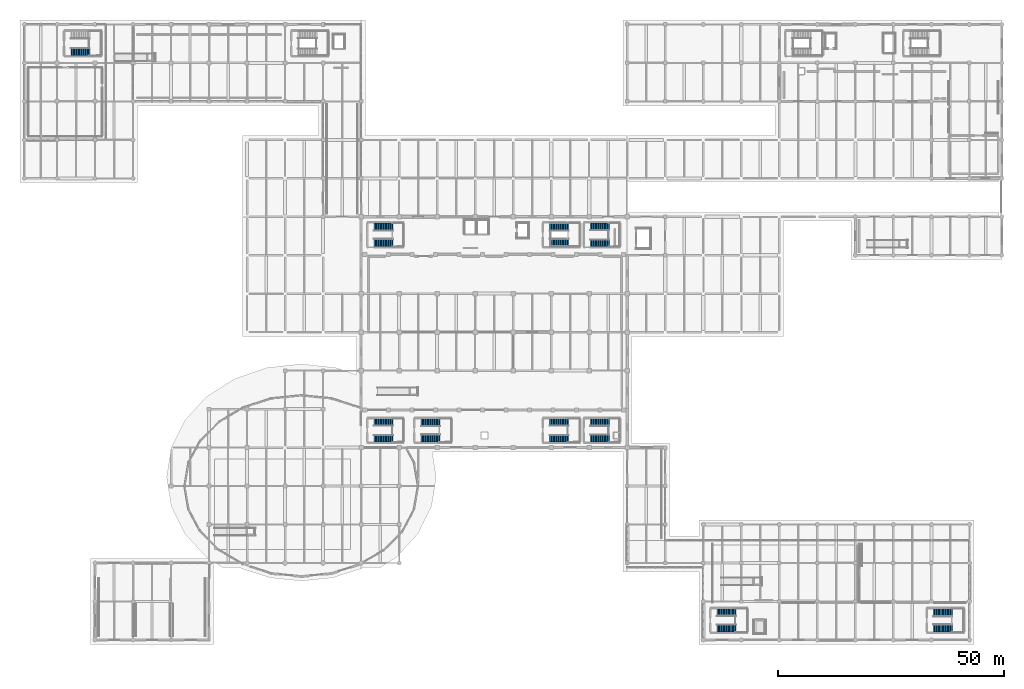
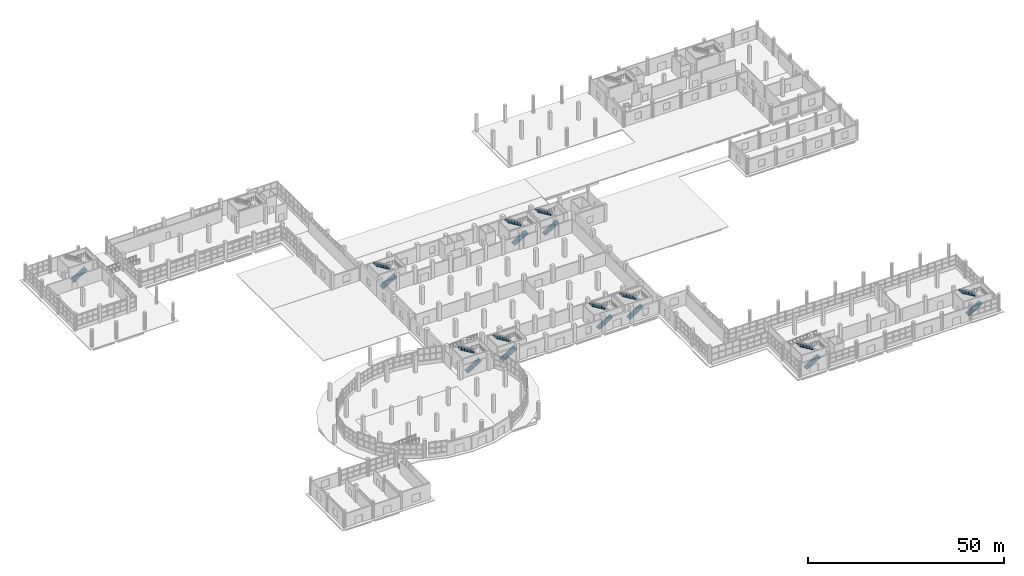
# One storey, part 98 of 107: 19 stair flights, 10 elements without a shape of their own.
"""IFC4 building model written with IfcOpenShell, lengths in metres."""

from ifc_helpers import new_model, si_unit, direction, frame, origin, place, context, subcontext, project, spatial, polyline, outline, extrude, material, type_object, element, aggregate, save


model = new_model("IFC4")

# Units and contexts
model_context = context("Model", 3, precision=1e-05, world=origin(), true_north=direction((0.0, 1.0)))
body_context = subcontext(model_context, "Body", "Model", "MODEL_VIEW")
ifc_project = project(units=[si_unit("LENGTHUNIT", "METRE"), si_unit("AREAUNIT", "SQUARE_METRE"), si_unit("VOLUMEUNIT", "CUBIC_METRE"), si_unit("PLANEANGLEUNIT", "RADIAN"), si_unit("MASSUNIT", "GRAM", prefix="KILO")], contexts=[model_context])

# Site, building, storey
site_placement = place(None, origin())
site = spatial("IfcSite", under=ifc_project, at=site_placement, CompositionType="ELEMENT")
building_placement = place(site_placement, origin())
building = spatial("IfcBuilding", under=site, at=building_placement, Name="Solvento Point Concert Hall", CompositionType="ELEMENT")
storey_placement = place(building_placement, origin())
storey = spatial("IfcBuildingStorey", under=building, at=storey_placement, Name="L00", CompositionType="ELEMENT", Elevation=0.0)

# Stair, stair flights
ifc_material_1 = material(Name="Concrete C35/45", Category="concrete")
stair_type_1 = type_object("IfcStairType", Name="CoreStair_1600", PredefinedType="HALF_TURN_STAIR", material=ifc_material_1)
stair_1_placement = place(storey_placement, origin())
stair_1 = element("IfcStair", 1, at=stair_1_placement, inside=storey, type_object=stair_type_1, Name="Protected exit stair ST-07 (L00 to L01)", PredefinedType="HALF_TURN_STAIR")
ifc_material_2 = material(Name="Concrete C35/45", Category="concrete")
stair_flight_type_1 = type_object("IfcStairFlightType", Name="StairFlight_1600", PredefinedType="STRAIGHT", material=ifc_material_2)
stair_flight_1_placement = place(storey_placement, frame((116.050048828125, 44.5, 0.0), z_axis=(0.0, 0.0, 1.0), x_axis=(1.0, 0.0, 0.0)))
stair_flight_1 = element("IfcStairFlight", 2, at=stair_flight_1_placement, type_object=stair_flight_type_1, Name="Stair flight ST-07 L00 lower", NumberOfRisers=16, NumberOfTreads=15, PredefinedType="STRAIGHT", RiserHeight=0.16875, TreadLength=0.28, context=body_context, shape_type="SweptSolid", body=[
    extrude(outline(polyline([(0.0, 0.0), (0.0, 0.168701171875), (0.280029296875, 0.168701171875), (0.280029296875, 0.33740234375), (0.56005859375, 0.33740234375), (0.56005859375, 0.50634765625), (0.840087890625, 0.50634765625), (0.840087890625, 0.675048828125), (1.1201171875, 0.675048828125), (1.1201171875, 0.84375), (1.39990234375, 0.84375), (1.39990234375, 1.012451171875), (1.679931640625, 1.012451171875), (1.679931640625, 1.18115234375), (1.9599609375, 1.18115234375), (1.9599609375, 1.35009765625), (2.239990234375, 1.35009765625), (2.239990234375, 1.518798828125), (2.52001953125, 1.518798828125), (2.52001953125, 1.6875), (2.800048828125, 1.6875), (2.800048828125, 1.856201171875), (3.080078125, 1.856201171875), (3.080078125, 2.02490234375), (3.360107421875, 2.02490234375), (3.360107421875, 2.19384765625), (3.639892578125, 2.19384765625), (3.639892578125, 2.362548828125), (3.919921875, 2.362548828125), (3.919921875, 2.53125), (4.199951171875, 2.53125), (4.199951171875, 2.699951171875), (4.199951171875, 2.3212890625), (0.3486328125, 0.0), (0.0, 0.0)])), frame((0.0, 0.800048828125, 0.0), z_axis=(0.0, -1.0, 0.0), x_axis=(1.0, 0.0, 0.0)), (0.0, 0.0, 1.0), 1.60009765625),
])
stair_flight_2_placement = place(storey_placement, frame((120.25, 48.10009765625, 2.699951171875), z_axis=(0.0, 0.0, 1.0), x_axis=(-1.0, 0.0, 0.0)))
stair_flight_2 = element("IfcStairFlight", 3, at=stair_flight_2_placement, type_object=stair_flight_type_1, Name="Stair flight ST-07 L00 upper", NumberOfRisers=16, NumberOfTreads=15, PredefinedType="STRAIGHT", RiserHeight=0.16875, TreadLength=0.28, context=body_context, shape_type="SweptSolid", body=[
    extrude(outline(polyline([(0.0, 0.0), (0.0, 0.168701171875), (0.280029296875, 0.168701171875), (0.280029296875, 0.33740234375), (0.56005859375, 0.33740234375), (0.56005859375, 0.50634765625), (0.840087890625, 0.50634765625), (0.840087890625, 0.675048828125), (1.1201171875, 0.675048828125), (1.1201171875, 0.84375), (1.39990234375, 0.84375), (1.39990234375, 1.012451171875), (1.679931640625, 1.012451171875), (1.679931640625, 1.18115234375), (1.9599609375, 1.18115234375), (1.9599609375, 1.35009765625), (2.239990234375, 1.35009765625), (2.239990234375, 1.518798828125), (2.52001953125, 1.518798828125), (2.52001953125, 1.6875), (2.800048828125, 1.6875), (2.800048828125, 1.856201171875), (3.080078125, 1.856201171875), (3.080078125, 2.02490234375), (3.360107421875, 2.02490234375), (3.360107421875, 2.19384765625), (3.639892578125, 2.19384765625), (3.639892578125, 2.362548828125), (3.919921875, 2.362548828125), (3.919921875, 2.53125), (4.199951171875, 2.53125), (4.199951171875, 2.699951171875), (4.199951171875, 2.3212890625), (0.3486328125, 0.0), (0.0, 0.0)])), frame((0.0, 0.800048828125, 0.0), z_axis=(0.0, -1.0, 0.0), x_axis=(1.0, 0.0, 0.0)), (0.0, 0.0, 1.0), 1.60009765625),
])
aggregate(stair_1, [stair_flight_1, stair_flight_2])

stair_2_placement = place(storey_placement, origin())
stair_2 = element("IfcStair", 4, at=stair_2_placement, inside=storey, type_object=stair_type_1, Name="Auditorium vomitory exit stair VOM-01 (L00 to L01)", PredefinedType="HALF_TURN_STAIR")
stair_flight_3_placement = place(storey_placement, frame((77.25, 44.5, 0.0), z_axis=(0.0, 0.0, 1.0), x_axis=(1.0, 0.0, 0.0)))
stair_flight_3 = element("IfcStairFlight", 5, at=stair_flight_3_placement, type_object=stair_flight_type_1, Name="Stair flight VOM-01 L00 lower", NumberOfRisers=16, NumberOfTreads=15, PredefinedType="STRAIGHT", RiserHeight=0.16875, TreadLength=0.28, context=body_context, shape_type="SweptSolid", body=[
    extrude(outline(polyline([(0.0, 0.0), (0.0, 0.168701171875), (0.280029296875, 0.168701171875), (0.280029296875, 0.33740234375), (0.56005859375, 0.33740234375), (0.56005859375, 0.50634765625), (0.840087890625, 0.50634765625), (0.840087890625, 0.675048828125), (1.1201171875, 0.675048828125), (1.1201171875, 0.84375), (1.39990234375, 0.84375), (1.39990234375, 1.012451171875), (1.679931640625, 1.012451171875), (1.679931640625, 1.18115234375), (1.9599609375, 1.18115234375), (1.9599609375, 1.35009765625), (2.239990234375, 1.35009765625), (2.239990234375, 1.518798828125), (2.52001953125, 1.518798828125), (2.52001953125, 1.6875), (2.800048828125, 1.6875), (2.800048828125, 1.856201171875), (3.080078125, 1.856201171875), (3.080078125, 2.02490234375), (3.360107421875, 2.02490234375), (3.360107421875, 2.19384765625), (3.639892578125, 2.19384765625), (3.639892578125, 2.362548828125), (3.919921875, 2.362548828125), (3.919921875, 2.53125), (4.199951171875, 2.53125), (4.199951171875, 2.699951171875), (4.199951171875, 2.3212890625), (0.3486328125, 0.0), (0.0, 0.0)])), frame((0.0, 0.800048828125, 0.0), z_axis=(0.0, -1.0, 0.0), x_axis=(1.0, 0.0, 0.0)), (0.0, 0.0, 1.0), 1.60009765625),
])
stair_flight_4_placement = place(storey_placement, frame((81.449951171875, 48.10009765625, 2.699951171875), z_axis=(0.0, 0.0, 1.0), x_axis=(-1.0, 0.0, 0.0)))
stair_flight_4 = element("IfcStairFlight", 6, at=stair_flight_4_placement, type_object=stair_flight_type_1, Name="Stair flight VOM-01 L00 upper", NumberOfRisers=16, NumberOfTreads=15, PredefinedType="STRAIGHT", RiserHeight=0.16875, TreadLength=0.28, context=body_context, shape_type="SweptSolid", body=[
    extrude(outline(polyline([(0.0, 0.0), (0.0, 0.168701171875), (0.280029296875, 0.168701171875), (0.280029296875, 0.33740234375), (0.56005859375, 0.33740234375), (0.56005859375, 0.50634765625), (0.840087890625, 0.50634765625), (0.840087890625, 0.675048828125), (1.1201171875, 0.675048828125), (1.1201171875, 0.84375), (1.39990234375, 0.84375), (1.39990234375, 1.012451171875), (1.679931640625, 1.012451171875), (1.679931640625, 1.18115234375), (1.9599609375, 1.18115234375), (1.9599609375, 1.35009765625), (2.239990234375, 1.35009765625), (2.239990234375, 1.518798828125), (2.52001953125, 1.518798828125), (2.52001953125, 1.6875), (2.800048828125, 1.6875), (2.800048828125, 1.856201171875), (3.080078125, 1.856201171875), (3.080078125, 2.02490234375), (3.360107421875, 2.02490234375), (3.360107421875, 2.19384765625), (3.639892578125, 2.19384765625), (3.639892578125, 2.362548828125), (3.919921875, 2.362548828125), (3.919921875, 2.53125), (4.199951171875, 2.53125), (4.199951171875, 2.699951171875), (4.199951171875, 2.3212890625), (0.3486328125, 0.0), (0.0, 0.0)])), frame((0.0, 0.800048828125, 0.0), z_axis=(0.0, -1.0, 0.0), x_axis=(1.0, 0.0, 0.0)), (0.0, 0.0, 1.0), 1.60009765625),
])
aggregate(stair_2, [stair_flight_3, stair_flight_4])

stair_3_placement = place(storey_placement, origin())
stair_3 = element("IfcStair", 7, at=stair_3_placement, inside=storey, type_object=stair_type_1, Name="Auditorium vomitory exit stair VOM-04 (L00 to L01)", PredefinedType="HALF_TURN_STAIR")
stair_flight_5_placement = place(storey_placement, frame((125.050048828125, 87.699951171875, 0.0), z_axis=(0.0, 0.0, 1.0), x_axis=(1.0, 0.0, 0.0)))
stair_flight_5 = element("IfcStairFlight", 8, at=stair_flight_5_placement, type_object=stair_flight_type_1, Name="Stair flight VOM-04 L00 lower", NumberOfRisers=16, NumberOfTreads=15, PredefinedType="STRAIGHT", RiserHeight=0.16875, TreadLength=0.28, context=body_context, shape_type="SweptSolid", body=[
    extrude(outline(polyline([(0.0, 0.0), (0.0, 0.168701171875), (0.280029296875, 0.168701171875), (0.280029296875, 0.33740234375), (0.56005859375, 0.33740234375), (0.56005859375, 0.50634765625), (0.840087890625, 0.50634765625), (0.840087890625, 0.675048828125), (1.1201171875, 0.675048828125), (1.1201171875, 0.84375), (1.39990234375, 0.84375), (1.39990234375, 1.012451171875), (1.679931640625, 1.012451171875), (1.679931640625, 1.18115234375), (1.9599609375, 1.18115234375), (1.9599609375, 1.35009765625), (2.239990234375, 1.35009765625), (2.239990234375, 1.518798828125), (2.52001953125, 1.518798828125), (2.52001953125, 1.6875), (2.800048828125, 1.6875), (2.800048828125, 1.856201171875), (3.080078125, 1.856201171875), (3.080078125, 2.02490234375), (3.360107421875, 2.02490234375), (3.360107421875, 2.19384765625), (3.639892578125, 2.19384765625), (3.639892578125, 2.362548828125), (3.919921875, 2.362548828125), (3.919921875, 2.53125), (4.199951171875, 2.53125), (4.199951171875, 2.699951171875), (4.199951171875, 2.3212890625), (0.3486328125, 0.0), (0.0, 0.0)])), frame((0.0, 0.800048828125, 0.0), z_axis=(0.0, -1.0, 0.0), x_axis=(1.0, 0.0, 0.0)), (0.0, 0.0, 1.0), 1.60009765625),
])
stair_flight_6_placement = place(storey_placement, frame((129.25, 91.300048828125, 2.699951171875), z_axis=(0.0, 0.0, 1.0), x_axis=(-1.0, 0.0, 0.0)))
stair_flight_6 = element("IfcStairFlight", 9, at=stair_flight_6_placement, type_object=stair_flight_type_1, Name="Stair flight VOM-04 L00 upper", NumberOfRisers=16, NumberOfTreads=15, PredefinedType="STRAIGHT", RiserHeight=0.16875, TreadLength=0.28, context=body_context, shape_type="SweptSolid", body=[
    extrude(outline(polyline([(0.0, 0.0), (0.0, 0.168701171875), (0.280029296875, 0.168701171875), (0.280029296875, 0.33740234375), (0.56005859375, 0.33740234375), (0.56005859375, 0.50634765625), (0.840087890625, 0.50634765625), (0.840087890625, 0.675048828125), (1.1201171875, 0.675048828125), (1.1201171875, 0.84375), (1.39990234375, 0.84375), (1.39990234375, 1.012451171875), (1.679931640625, 1.012451171875), (1.679931640625, 1.18115234375), (1.9599609375, 1.18115234375), (1.9599609375, 1.35009765625), (2.239990234375, 1.35009765625), (2.239990234375, 1.518798828125), (2.52001953125, 1.518798828125), (2.52001953125, 1.6875), (2.800048828125, 1.6875), (2.800048828125, 1.856201171875), (3.080078125, 1.856201171875), (3.080078125, 2.02490234375), (3.360107421875, 2.02490234375), (3.360107421875, 2.19384765625), (3.639892578125, 2.19384765625), (3.639892578125, 2.362548828125), (3.919921875, 2.362548828125), (3.919921875, 2.53125), (4.199951171875, 2.53125), (4.199951171875, 2.699951171875), (4.199951171875, 2.3212890625), (0.3486328125, 0.0), (0.0, 0.0)])), frame((0.0, 0.800048828125, 0.0), z_axis=(0.0, -1.0, 0.0), x_axis=(1.0, 0.0, 0.0)), (0.0, 0.0, 1.0), 1.60009765625),
])
aggregate(stair_3, [stair_flight_5, stair_flight_6])

# Stair, stair flight
ifc_material_3 = material(Name="Concrete C35/45", Category="concrete")
stair_type_2 = type_object("IfcStairType", Name="CoreStair_1680", PredefinedType="HALF_TURN_STAIR", material=ifc_material_3)
stair_4_placement = place(storey_placement, origin())
stair_4 = element("IfcStair", 10, at=stair_4_placement, inside=storey, type_object=stair_type_2, Name="Protected exit stair ST-05 (L00 to L01)", PredefinedType="HALF_TURN_STAIR")
ifc_material_4 = material(Name="Concrete C35/45", Category="concrete")
stair_flight_type_2 = type_object("IfcStairFlightType", Name="StairFlight_1680", PredefinedType="STRAIGHT", material=ifc_material_4)
stair_flight_7_placement = place(storey_placement, frame((10.25, 129.93994140625, 0.0), z_axis=(0.0, 0.0, 1.0), x_axis=(1.0, 0.0, 0.0)))
stair_flight_7 = element("IfcStairFlight", 11, at=stair_flight_7_placement, type_object=stair_flight_type_2, Name="Stair flight ST-05 L00 lower", NumberOfRisers=16, NumberOfTreads=15, PredefinedType="STRAIGHT", RiserHeight=0.16875, TreadLength=0.28, context=body_context, shape_type="SweptSolid", body=[
    extrude(outline(polyline([(0.0, 0.0), (0.0, 0.168701171875), (0.280029296875, 0.168701171875), (0.280029296875, 0.33740234375), (0.56005859375, 0.33740234375), (0.56005859375, 0.50634765625), (0.840087890625, 0.50634765625), (0.840087890625, 0.675048828125), (1.1201171875, 0.675048828125), (1.1201171875, 0.84375), (1.39990234375, 0.84375), (1.39990234375, 1.012451171875), (1.679931640625, 1.012451171875), (1.679931640625, 1.18115234375), (1.9599609375, 1.18115234375), (1.9599609375, 1.35009765625), (2.239990234375, 1.35009765625), (2.239990234375, 1.518798828125), (2.52001953125, 1.518798828125), (2.52001953125, 1.6875), (2.800048828125, 1.6875), (2.800048828125, 1.856201171875), (3.080078125, 1.856201171875), (3.080078125, 2.02490234375), (3.360107421875, 2.02490234375), (3.360107421875, 2.19384765625), (3.639892578125, 2.19384765625), (3.639892578125, 2.362548828125), (3.919921875, 2.362548828125), (3.919921875, 2.53125), (4.199951171875, 2.53125), (4.199951171875, 2.699951171875), (4.199951171875, 2.3212890625), (0.3486328125, 0.0), (0.0, 0.0)])), frame((0.0, 0.83984375, 0.0), z_axis=(0.0, -1.0, 0.0), x_axis=(1.0, 0.0, 0.0)), (0.0, 0.0, 1.0), 1.679931640625),
])
aggregate(stair_4, [stair_flight_7])

# Stair, stair flights
stair_5_placement = place(storey_placement, origin())
stair_5 = element("IfcStair", 12, at=stair_5_placement, inside=storey, type_object=stair_type_2, Name="Protected exit stair ST-08 (L00 to L01)", PredefinedType="HALF_TURN_STAIR")
stair_flight_8_placement = place(storey_placement, frame((153.050048828125, 2.5400390625, 0.0), z_axis=(0.0, 0.0, 1.0), x_axis=(1.0, 0.0, 0.0)))
stair_flight_8 = element("IfcStairFlight", 13, at=stair_flight_8_placement, type_object=stair_flight_type_2, Name="Stair flight ST-08 L00 lower", NumberOfRisers=16, NumberOfTreads=15, PredefinedType="STRAIGHT", RiserHeight=0.16875, TreadLength=0.28, context=body_context, shape_type="SweptSolid", body=[
    extrude(outline(polyline([(0.0, 0.0), (0.0, 0.168701171875), (0.280029296875, 0.168701171875), (0.280029296875, 0.33740234375), (0.56005859375, 0.33740234375), (0.56005859375, 0.50634765625), (0.840087890625, 0.50634765625), (0.840087890625, 0.675048828125), (1.1201171875, 0.675048828125), (1.1201171875, 0.84375), (1.39990234375, 0.84375), (1.39990234375, 1.012451171875), (1.679931640625, 1.012451171875), (1.679931640625, 1.18115234375), (1.9599609375, 1.18115234375), (1.9599609375, 1.35009765625), (2.239990234375, 1.35009765625), (2.239990234375, 1.518798828125), (2.52001953125, 1.518798828125), (2.52001953125, 1.6875), (2.800048828125, 1.6875), (2.800048828125, 1.856201171875), (3.080078125, 1.856201171875), (3.080078125, 2.02490234375), (3.360107421875, 2.02490234375), (3.360107421875, 2.19384765625), (3.639892578125, 2.19384765625), (3.639892578125, 2.362548828125), (3.919921875, 2.362548828125), (3.919921875, 2.53125), (4.199951171875, 2.53125), (4.199951171875, 2.699951171875), (4.199951171875, 2.3212890625), (0.3486328125, 0.0), (0.0, 0.0)])), frame((0.0, 0.83984375, 0.0), z_axis=(0.0, -1.0, 0.0), x_axis=(1.0, 0.0, 0.0)), (0.0, 0.0, 1.0), 1.679931640625),
])
stair_flight_9_placement = place(storey_placement, frame((157.25, 6.06005859375, 2.699951171875), z_axis=(0.0, 0.0, 1.0), x_axis=(-1.0, 0.0, 0.0)))
stair_flight_9 = element("IfcStairFlight", 14, at=stair_flight_9_placement, type_object=stair_flight_type_2, Name="Stair flight ST-08 L00 upper", NumberOfRisers=16, NumberOfTreads=15, PredefinedType="STRAIGHT", RiserHeight=0.16875, TreadLength=0.28, context=body_context, shape_type="SweptSolid", body=[
    extrude(outline(polyline([(0.0, 0.0), (0.0, 0.168701171875), (0.280029296875, 0.168701171875), (0.280029296875, 0.33740234375), (0.56005859375, 0.33740234375), (0.56005859375, 0.50634765625), (0.840087890625, 0.50634765625), (0.840087890625, 0.675048828125), (1.1201171875, 0.675048828125), (1.1201171875, 0.84375), (1.39990234375, 0.84375), (1.39990234375, 1.012451171875), (1.679931640625, 1.012451171875), (1.679931640625, 1.18115234375), (1.9599609375, 1.18115234375), (1.9599609375, 1.35009765625), (2.239990234375, 1.35009765625), (2.239990234375, 1.518798828125), (2.52001953125, 1.518798828125), (2.52001953125, 1.6875), (2.800048828125, 1.6875), (2.800048828125, 1.856201171875), (3.080078125, 1.856201171875), (3.080078125, 2.02490234375), (3.360107421875, 2.02490234375), (3.360107421875, 2.19384765625), (3.639892578125, 2.19384765625), (3.639892578125, 2.362548828125), (3.919921875, 2.362548828125), (3.919921875, 2.53125), (4.199951171875, 2.53125), (4.199951171875, 2.699951171875), (4.199951171875, 2.3212890625), (0.3486328125, 0.0), (0.0, 0.0)])), frame((0.0, 0.83984375, 0.0), z_axis=(0.0, -1.0, 0.0), x_axis=(1.0, 0.0, 0.0)), (0.0, 0.0, 1.0), 1.679931640625),
])
aggregate(stair_5, [stair_flight_8, stair_flight_9])

stair_6_placement = place(storey_placement, origin())
stair_6 = element("IfcStair", 15, at=stair_6_placement, inside=storey, type_object=stair_type_2, Name="Auditorium vomitory exit stair VOM-02 (L00 to L01)", PredefinedType="HALF_TURN_STAIR")
stair_flight_10_placement = place(storey_placement, frame((125.050048828125, 44.5400390625, 0.0), z_axis=(0.0, 0.0, 1.0), x_axis=(1.0, 0.0, 0.0)))
stair_flight_10 = element("IfcStairFlight", 16, at=stair_flight_10_placement, type_object=stair_flight_type_2, Name="Stair flight VOM-02 L00 lower", NumberOfRisers=16, NumberOfTreads=15, PredefinedType="STRAIGHT", RiserHeight=0.16875, TreadLength=0.28, context=body_context, shape_type="SweptSolid", body=[
    extrude(outline(polyline([(0.0, 0.0), (0.0, 0.168701171875), (0.280029296875, 0.168701171875), (0.280029296875, 0.33740234375), (0.56005859375, 0.33740234375), (0.56005859375, 0.50634765625), (0.840087890625, 0.50634765625), (0.840087890625, 0.675048828125), (1.1201171875, 0.675048828125), (1.1201171875, 0.84375), (1.39990234375, 0.84375), (1.39990234375, 1.012451171875), (1.679931640625, 1.012451171875), (1.679931640625, 1.18115234375), (1.9599609375, 1.18115234375), (1.9599609375, 1.35009765625), (2.239990234375, 1.35009765625), (2.239990234375, 1.518798828125), (2.52001953125, 1.518798828125), (2.52001953125, 1.6875), (2.800048828125, 1.6875), (2.800048828125, 1.856201171875), (3.080078125, 1.856201171875), (3.080078125, 2.02490234375), (3.360107421875, 2.02490234375), (3.360107421875, 2.19384765625), (3.639892578125, 2.19384765625), (3.639892578125, 2.362548828125), (3.919921875, 2.362548828125), (3.919921875, 2.53125), (4.199951171875, 2.53125), (4.199951171875, 2.699951171875), (4.199951171875, 2.3212890625), (0.3486328125, 0.0), (0.0, 0.0)])), frame((0.0, 0.83984375, 0.0), z_axis=(0.0, -1.0, 0.0), x_axis=(1.0, 0.0, 0.0)), (0.0, 0.0, 1.0), 1.679931640625),
])
stair_flight_11_placement = place(storey_placement, frame((129.25, 48.06005859375, 2.699951171875), z_axis=(0.0, 0.0, 1.0), x_axis=(-1.0, 0.0, 0.0)))
stair_flight_11 = element("IfcStairFlight", 17, at=stair_flight_11_placement, type_object=stair_flight_type_2, Name="Stair flight VOM-02 L00 upper", NumberOfRisers=16, NumberOfTreads=15, PredefinedType="STRAIGHT", RiserHeight=0.16875, TreadLength=0.28, context=body_context, shape_type="SweptSolid", body=[
    extrude(outline(polyline([(0.0, 0.0), (0.0, 0.168701171875), (0.280029296875, 0.168701171875), (0.280029296875, 0.33740234375), (0.56005859375, 0.33740234375), (0.56005859375, 0.50634765625), (0.840087890625, 0.50634765625), (0.840087890625, 0.675048828125), (1.1201171875, 0.675048828125), (1.1201171875, 0.84375), (1.39990234375, 0.84375), (1.39990234375, 1.012451171875), (1.679931640625, 1.012451171875), (1.679931640625, 1.18115234375), (1.9599609375, 1.18115234375), (1.9599609375, 1.35009765625), (2.239990234375, 1.35009765625), (2.239990234375, 1.518798828125), (2.52001953125, 1.518798828125), (2.52001953125, 1.6875), (2.800048828125, 1.6875), (2.800048828125, 1.856201171875), (3.080078125, 1.856201171875), (3.080078125, 2.02490234375), (3.360107421875, 2.02490234375), (3.360107421875, 2.19384765625), (3.639892578125, 2.19384765625), (3.639892578125, 2.362548828125), (3.919921875, 2.362548828125), (3.919921875, 2.53125), (4.199951171875, 2.53125), (4.199951171875, 2.699951171875), (4.199951171875, 2.3212890625), (0.3486328125, 0.0), (0.0, 0.0)])), frame((0.0, 0.83984375, 0.0), z_axis=(0.0, -1.0, 0.0), x_axis=(1.0, 0.0, 0.0)), (0.0, 0.0, 1.0), 1.679931640625),
])
aggregate(stair_6, [stair_flight_10, stair_flight_11])

ifc_material_5 = material(Name="Concrete C35/45", Category="concrete")
stair_type_3 = type_object("IfcStairType", Name="CoreStair_1760", PredefinedType="HALF_TURN_STAIR", material=ifc_material_5)
stair_7_placement = place(storey_placement, origin())
stair_7 = element("IfcStair", 18, at=stair_7_placement, inside=storey, type_object=stair_type_3, Name="Protected exit stair ST-03 (L00 to L01)", PredefinedType="HALF_TURN_STAIR")
ifc_material_6 = material(Name="Concrete C35/45", Category="concrete")
stair_flight_type_3 = type_object("IfcStairFlightType", Name="StairFlight_1760", PredefinedType="STRAIGHT", material=ifc_material_6)
stair_flight_12_placement = place(storey_placement, frame((116.050048828125, 87.780029296875, 0.0), z_axis=(0.0, 0.0, 1.0), x_axis=(1.0, 0.0, 0.0)))
stair_flight_12 = element("IfcStairFlight", 19, at=stair_flight_12_placement, type_object=stair_flight_type_3, Name="Stair flight ST-03 L00 lower", NumberOfRisers=16, NumberOfTreads=15, PredefinedType="STRAIGHT", RiserHeight=0.16875, TreadLength=0.28, context=body_context, shape_type="SweptSolid", body=[
    extrude(outline(polyline([(0.0, 0.0), (0.0, 0.168701171875), (0.280029296875, 0.168701171875), (0.280029296875, 0.33740234375), (0.56005859375, 0.33740234375), (0.56005859375, 0.50634765625), (0.840087890625, 0.50634765625), (0.840087890625, 0.675048828125), (1.1201171875, 0.675048828125), (1.1201171875, 0.84375), (1.39990234375, 0.84375), (1.39990234375, 1.012451171875), (1.679931640625, 1.012451171875), (1.679931640625, 1.18115234375), (1.9599609375, 1.18115234375), (1.9599609375, 1.35009765625), (2.239990234375, 1.35009765625), (2.239990234375, 1.518798828125), (2.52001953125, 1.518798828125), (2.52001953125, 1.6875), (2.800048828125, 1.6875), (2.800048828125, 1.856201171875), (3.080078125, 1.856201171875), (3.080078125, 2.02490234375), (3.360107421875, 2.02490234375), (3.360107421875, 2.19384765625), (3.639892578125, 2.19384765625), (3.639892578125, 2.362548828125), (3.919921875, 2.362548828125), (3.919921875, 2.53125), (4.199951171875, 2.53125), (4.199951171875, 2.699951171875), (4.199951171875, 2.3212890625), (0.3486328125, 0.0), (0.0, 0.0)])), frame((0.0, 0.8798828125, 0.0), z_axis=(0.0, -1.0, 0.0), x_axis=(1.0, 0.0, 0.0)), (0.0, 0.0, 1.0), 1.760009765625),
])
stair_flight_13_placement = place(storey_placement, frame((120.25, 91.219970703125, 2.699951171875), z_axis=(0.0, 0.0, 1.0), x_axis=(-1.0, 0.0, 0.0)))
stair_flight_13 = element("IfcStairFlight", 20, at=stair_flight_13_placement, type_object=stair_flight_type_3, Name="Stair flight ST-03 L00 upper", NumberOfRisers=16, NumberOfTreads=15, PredefinedType="STRAIGHT", RiserHeight=0.16875, TreadLength=0.28, context=body_context, shape_type="SweptSolid", body=[
    extrude(outline(polyline([(0.0, 0.0), (0.0, 0.168701171875), (0.280029296875, 0.168701171875), (0.280029296875, 0.33740234375), (0.56005859375, 0.33740234375), (0.56005859375, 0.50634765625), (0.840087890625, 0.50634765625), (0.840087890625, 0.675048828125), (1.1201171875, 0.675048828125), (1.1201171875, 0.84375), (1.39990234375, 0.84375), (1.39990234375, 1.012451171875), (1.679931640625, 1.012451171875), (1.679931640625, 1.18115234375), (1.9599609375, 1.18115234375), (1.9599609375, 1.35009765625), (2.239990234375, 1.35009765625), (2.239990234375, 1.518798828125), (2.52001953125, 1.518798828125), (2.52001953125, 1.6875), (2.800048828125, 1.6875), (2.800048828125, 1.856201171875), (3.080078125, 1.856201171875), (3.080078125, 2.02490234375), (3.360107421875, 2.02490234375), (3.360107421875, 2.19384765625), (3.639892578125, 2.19384765625), (3.639892578125, 2.362548828125), (3.919921875, 2.362548828125), (3.919921875, 2.53125), (4.199951171875, 2.53125), (4.199951171875, 2.699951171875), (4.199951171875, 2.3212890625), (0.3486328125, 0.0), (0.0, 0.0)])), frame((0.0, 0.8798828125, 0.0), z_axis=(0.0, -1.0, 0.0), x_axis=(1.0, 0.0, 0.0)), (0.0, 0.0, 1.0), 1.760009765625),
])
aggregate(stair_7, [stair_flight_12, stair_flight_13])

stair_8_placement = place(storey_placement, origin())
stair_8 = element("IfcStair", 21, at=stair_8_placement, inside=storey, type_object=stair_type_3, Name="Protected exit stair ST-06 (L00 to L01)", PredefinedType="HALF_TURN_STAIR")
stair_flight_14_placement = place(storey_placement, frame((87.64990234375, 44.580078125, 0.0), z_axis=(0.0, 0.0, 1.0), x_axis=(1.0, 0.0, 0.0)))
stair_flight_14 = element("IfcStairFlight", 22, at=stair_flight_14_placement, type_object=stair_flight_type_3, Name="Stair flight ST-06 L00 lower", NumberOfRisers=16, NumberOfTreads=15, PredefinedType="STRAIGHT", RiserHeight=0.16875, TreadLength=0.28, context=body_context, shape_type="SweptSolid", body=[
    extrude(outline(polyline([(0.0, 0.0), (0.0, 0.168701171875), (0.280029296875, 0.168701171875), (0.280029296875, 0.33740234375), (0.56005859375, 0.33740234375), (0.56005859375, 0.50634765625), (0.840087890625, 0.50634765625), (0.840087890625, 0.675048828125), (1.1201171875, 0.675048828125), (1.1201171875, 0.84375), (1.39990234375, 0.84375), (1.39990234375, 1.012451171875), (1.679931640625, 1.012451171875), (1.679931640625, 1.18115234375), (1.9599609375, 1.18115234375), (1.9599609375, 1.35009765625), (2.239990234375, 1.35009765625), (2.239990234375, 1.518798828125), (2.52001953125, 1.518798828125), (2.52001953125, 1.6875), (2.800048828125, 1.6875), (2.800048828125, 1.856201171875), (3.080078125, 1.856201171875), (3.080078125, 2.02490234375), (3.360107421875, 2.02490234375), (3.360107421875, 2.19384765625), (3.639892578125, 2.19384765625), (3.639892578125, 2.362548828125), (3.919921875, 2.362548828125), (3.919921875, 2.53125), (4.199951171875, 2.53125), (4.199951171875, 2.699951171875), (4.199951171875, 2.3212890625), (0.3486328125, 0.0), (0.0, 0.0)])), frame((0.0, 0.8798828125, 0.0), z_axis=(0.0, -1.0, 0.0), x_axis=(1.0, 0.0, 0.0)), (0.0, 0.0, 1.0), 1.760009765625),
])
stair_flight_15_placement = place(storey_placement, frame((91.85009765625, 48.02001953125, 2.699951171875), z_axis=(0.0, 0.0, 1.0), x_axis=(-1.0, 0.0, 0.0)))
stair_flight_15 = element("IfcStairFlight", 23, at=stair_flight_15_placement, type_object=stair_flight_type_3, Name="Stair flight ST-06 L00 upper", NumberOfRisers=16, NumberOfTreads=15, PredefinedType="STRAIGHT", RiserHeight=0.16875, TreadLength=0.28, context=body_context, shape_type="SweptSolid", body=[
    extrude(outline(polyline([(0.0, 0.0), (0.0, 0.168701171875), (0.280029296875, 0.168701171875), (0.280029296875, 0.33740234375), (0.56005859375, 0.33740234375), (0.56005859375, 0.50634765625), (0.840087890625, 0.50634765625), (0.840087890625, 0.675048828125), (1.1201171875, 0.675048828125), (1.1201171875, 0.84375), (1.39990234375, 0.84375), (1.39990234375, 1.012451171875), (1.679931640625, 1.012451171875), (1.679931640625, 1.18115234375), (1.9599609375, 1.18115234375), (1.9599609375, 1.35009765625), (2.239990234375, 1.35009765625), (2.239990234375, 1.518798828125), (2.52001953125, 1.518798828125), (2.52001953125, 1.6875), (2.800048828125, 1.6875), (2.800048828125, 1.856201171875), (3.080078125, 1.856201171875), (3.080078125, 2.02490234375), (3.360107421875, 2.02490234375), (3.360107421875, 2.19384765625), (3.639892578125, 2.19384765625), (3.639892578125, 2.362548828125), (3.919921875, 2.362548828125), (3.919921875, 2.53125), (4.199951171875, 2.53125), (4.199951171875, 2.699951171875), (4.199951171875, 2.3212890625), (0.3486328125, 0.0), (0.0, 0.0)])), frame((0.0, 0.8798828125, 0.0), z_axis=(0.0, -1.0, 0.0), x_axis=(1.0, 0.0, 0.0)), (0.0, 0.0, 1.0), 1.760009765625),
])
aggregate(stair_8, [stair_flight_14, stair_flight_15])

stair_9_placement = place(storey_placement, origin())
stair_9 = element("IfcStair", 24, at=stair_9_placement, inside=storey, type_object=stair_type_3, Name="Protected exit stair ST-09 (L00 to L01)", PredefinedType="HALF_TURN_STAIR")
stair_flight_16_placement = place(storey_placement, frame((200.85009765625, 2.580078125, 0.0), z_axis=(0.0, 0.0, 1.0), x_axis=(1.0, 0.0, 0.0)))
stair_flight_16 = element("IfcStairFlight", 25, at=stair_flight_16_placement, type_object=stair_flight_type_3, Name="Stair flight ST-09 L00 lower", NumberOfRisers=16, NumberOfTreads=15, PredefinedType="STRAIGHT", RiserHeight=0.16875, TreadLength=0.28, context=body_context, shape_type="SweptSolid", body=[
    extrude(outline(polyline([(0.0, 0.0), (0.0, 0.168701171875), (0.280029296875, 0.168701171875), (0.280029296875, 0.33740234375), (0.56005859375, 0.33740234375), (0.56005859375, 0.50634765625), (0.840087890625, 0.50634765625), (0.840087890625, 0.675048828125), (1.1201171875, 0.675048828125), (1.1201171875, 0.84375), (1.39990234375, 0.84375), (1.39990234375, 1.012451171875), (1.679931640625, 1.012451171875), (1.679931640625, 1.18115234375), (1.9599609375, 1.18115234375), (1.9599609375, 1.35009765625), (2.239990234375, 1.35009765625), (2.239990234375, 1.518798828125), (2.52001953125, 1.518798828125), (2.52001953125, 1.6875), (2.800048828125, 1.6875), (2.800048828125, 1.856201171875), (3.080078125, 1.856201171875), (3.080078125, 2.02490234375), (3.360107421875, 2.02490234375), (3.360107421875, 2.19384765625), (3.639892578125, 2.19384765625), (3.639892578125, 2.362548828125), (3.919921875, 2.362548828125), (3.919921875, 2.53125), (4.199951171875, 2.53125), (4.199951171875, 2.699951171875), (4.199951171875, 2.3212890625), (0.3486328125, 0.0), (0.0, 0.0)])), frame((0.0, 0.8798828125, 0.0), z_axis=(0.0, -1.0, 0.0), x_axis=(1.0, 0.0, 0.0)), (0.0, 0.0, 1.0), 1.760009765625),
])
stair_flight_17_placement = place(storey_placement, frame((205.050048828125, 6.02001953125, 2.699951171875), z_axis=(0.0, 0.0, 1.0), x_axis=(-1.0, 0.0, 0.0)))
stair_flight_17 = element("IfcStairFlight", 26, at=stair_flight_17_placement, type_object=stair_flight_type_3, Name="Stair flight ST-09 L00 upper", NumberOfRisers=16, NumberOfTreads=15, PredefinedType="STRAIGHT", RiserHeight=0.16875, TreadLength=0.28, context=body_context, shape_type="SweptSolid", body=[
    extrude(outline(polyline([(0.0, 0.0), (0.0, 0.168701171875), (0.280029296875, 0.168701171875), (0.280029296875, 0.33740234375), (0.56005859375, 0.33740234375), (0.56005859375, 0.50634765625), (0.840087890625, 0.50634765625), (0.840087890625, 0.675048828125), (1.1201171875, 0.675048828125), (1.1201171875, 0.84375), (1.39990234375, 0.84375), (1.39990234375, 1.012451171875), (1.679931640625, 1.012451171875), (1.679931640625, 1.18115234375), (1.9599609375, 1.18115234375), (1.9599609375, 1.35009765625), (2.239990234375, 1.35009765625), (2.239990234375, 1.518798828125), (2.52001953125, 1.518798828125), (2.52001953125, 1.6875), (2.800048828125, 1.6875), (2.800048828125, 1.856201171875), (3.080078125, 1.856201171875), (3.080078125, 2.02490234375), (3.360107421875, 2.02490234375), (3.360107421875, 2.19384765625), (3.639892578125, 2.19384765625), (3.639892578125, 2.362548828125), (3.919921875, 2.362548828125), (3.919921875, 2.53125), (4.199951171875, 2.53125), (4.199951171875, 2.699951171875), (4.199951171875, 2.3212890625), (0.3486328125, 0.0), (0.0, 0.0)])), frame((0.0, 0.8798828125, 0.0), z_axis=(0.0, -1.0, 0.0), x_axis=(1.0, 0.0, 0.0)), (0.0, 0.0, 1.0), 1.760009765625),
])
aggregate(stair_9, [stair_flight_16, stair_flight_17])

stair_10_placement = place(storey_placement, origin())
stair_10 = element("IfcStair", 27, at=stair_10_placement, inside=storey, type_object=stair_type_3, Name="Auditorium vomitory exit stair VOM-03 (L00 to L01)", PredefinedType="HALF_TURN_STAIR")
stair_flight_18_placement = place(storey_placement, frame((77.25, 87.780029296875, 0.0), z_axis=(0.0, 0.0, 1.0), x_axis=(1.0, 0.0, 0.0)))
stair_flight_18 = element("IfcStairFlight", 28, at=stair_flight_18_placement, type_object=stair_flight_type_3, Name="Stair flight VOM-03 L00 lower", NumberOfRisers=16, NumberOfTreads=15, PredefinedType="STRAIGHT", RiserHeight=0.16875, TreadLength=0.28, context=body_context, shape_type="SweptSolid", body=[
    extrude(outline(polyline([(0.0, 0.0), (0.0, 0.168701171875), (0.280029296875, 0.168701171875), (0.280029296875, 0.33740234375), (0.56005859375, 0.33740234375), (0.56005859375, 0.50634765625), (0.840087890625, 0.50634765625), (0.840087890625, 0.675048828125), (1.1201171875, 0.675048828125), (1.1201171875, 0.84375), (1.39990234375, 0.84375), (1.39990234375, 1.012451171875), (1.679931640625, 1.012451171875), (1.679931640625, 1.18115234375), (1.9599609375, 1.18115234375), (1.9599609375, 1.35009765625), (2.239990234375, 1.35009765625), (2.239990234375, 1.518798828125), (2.52001953125, 1.518798828125), (2.52001953125, 1.6875), (2.800048828125, 1.6875), (2.800048828125, 1.856201171875), (3.080078125, 1.856201171875), (3.080078125, 2.02490234375), (3.360107421875, 2.02490234375), (3.360107421875, 2.19384765625), (3.639892578125, 2.19384765625), (3.639892578125, 2.362548828125), (3.919921875, 2.362548828125), (3.919921875, 2.53125), (4.199951171875, 2.53125), (4.199951171875, 2.699951171875), (4.199951171875, 2.3212890625), (0.3486328125, 0.0), (0.0, 0.0)])), frame((0.0, 0.8798828125, 0.0), z_axis=(0.0, -1.0, 0.0), x_axis=(1.0, 0.0, 0.0)), (0.0, 0.0, 1.0), 1.760009765625),
])
stair_flight_19_placement = place(storey_placement, frame((81.449951171875, 91.219970703125, 2.699951171875), z_axis=(0.0, 0.0, 1.0), x_axis=(-1.0, 0.0, 0.0)))
stair_flight_19 = element("IfcStairFlight", 29, at=stair_flight_19_placement, type_object=stair_flight_type_3, Name="Stair flight VOM-03 L00 upper", NumberOfRisers=16, NumberOfTreads=15, PredefinedType="STRAIGHT", RiserHeight=0.16875, TreadLength=0.28, context=body_context, shape_type="SweptSolid", body=[
    extrude(outline(polyline([(0.0, 0.0), (0.0, 0.168701171875), (0.280029296875, 0.168701171875), (0.280029296875, 0.33740234375), (0.56005859375, 0.33740234375), (0.56005859375, 0.50634765625), (0.840087890625, 0.50634765625), (0.840087890625, 0.675048828125), (1.1201171875, 0.675048828125), (1.1201171875, 0.84375), (1.39990234375, 0.84375), (1.39990234375, 1.012451171875), (1.679931640625, 1.012451171875), (1.679931640625, 1.18115234375), (1.9599609375, 1.18115234375), (1.9599609375, 1.35009765625), (2.239990234375, 1.35009765625), (2.239990234375, 1.518798828125), (2.52001953125, 1.518798828125), (2.52001953125, 1.6875), (2.800048828125, 1.6875), (2.800048828125, 1.856201171875), (3.080078125, 1.856201171875), (3.080078125, 2.02490234375), (3.360107421875, 2.02490234375), (3.360107421875, 2.19384765625), (3.639892578125, 2.19384765625), (3.639892578125, 2.362548828125), (3.919921875, 2.362548828125), (3.919921875, 2.53125), (4.199951171875, 2.53125), (4.199951171875, 2.699951171875), (4.199951171875, 2.3212890625), (0.3486328125, 0.0), (0.0, 0.0)])), frame((0.0, 0.8798828125, 0.0), z_axis=(0.0, -1.0, 0.0), x_axis=(1.0, 0.0, 0.0)), (0.0, 0.0, 1.0), 1.760009765625),
])
aggregate(stair_10, [stair_flight_18, stair_flight_19])

save(model, "model.ifc")
